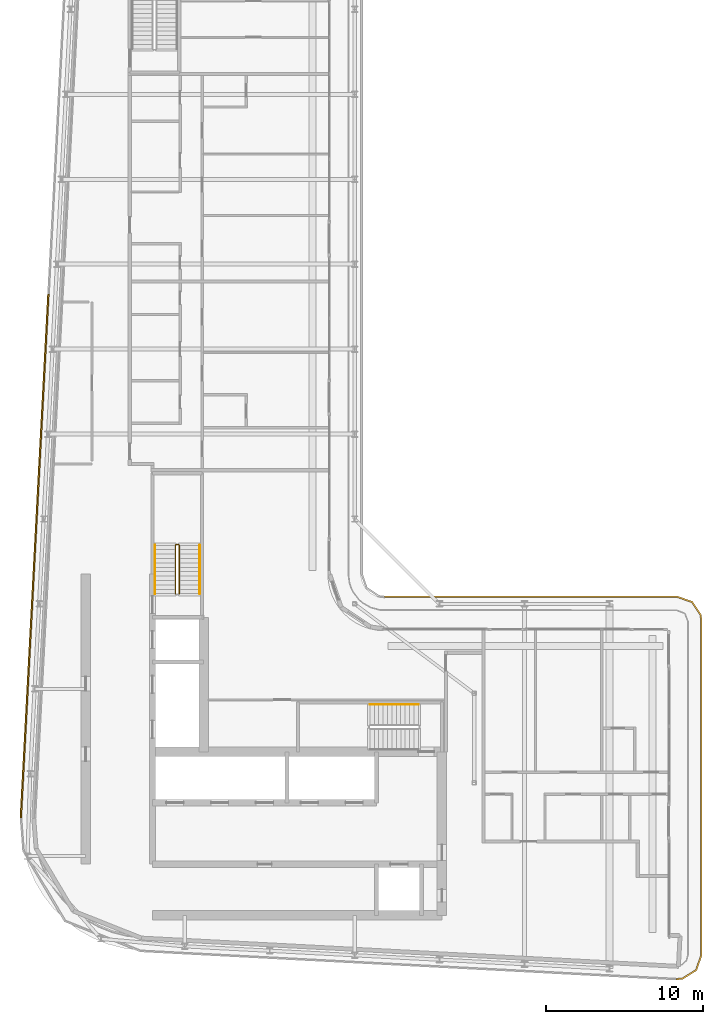
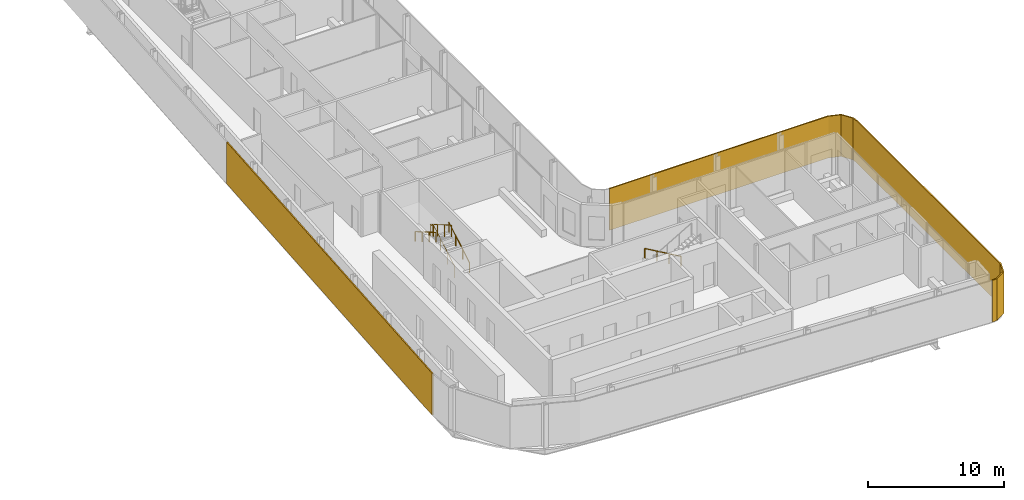
# One storey, part 18 of 21: 4 railings, 2 shading devices.
"""IFC4 building model written with IfcOpenShell, lengths in metres."""

from ifc_helpers import new_model, si_unit, direction, frame, origin, origin_2d, place, context, subcontext, project, spatial, polyline, rectangle, circle, outline, extrude, material, layer, layer_set, type_object, element, save


model = new_model("IFC4")

# Units and contexts
model_context = context("Model", 3, precision=1e-05, world=origin(), true_north=direction((0.0, 1.0)))
body_context = subcontext(model_context, "Body", "Model", "MODEL_VIEW")
ifc_project = project(units=[si_unit("LENGTHUNIT", "METRE"), si_unit("AREAUNIT", "SQUARE_METRE"), si_unit("VOLUMEUNIT", "CUBIC_METRE"), si_unit("PLANEANGLEUNIT", "RADIAN"), si_unit("MASSUNIT", "GRAM", prefix="KILO")], contexts=[model_context])

# Site, building, storey
site_placement = place(None, origin())
site = spatial("IfcSite", under=ifc_project, at=site_placement, CompositionType="ELEMENT")
building_placement = place(site_placement, origin())
building = spatial("IfcBuilding", under=site, at=building_placement, Name="Kheshtan School and Residences Tower", CompositionType="ELEMENT")
storey_placement = place(building_placement, frame((0.0, 0.0, 302.0)))
storey = spatial("IfcBuildingStorey", under=building, at=storey_placement, Name="L71", CompositionType="ELEMENT", Elevation=302.0)

# Shading devices
ifc_material_1 = material(Name="Terracotta baguette, extruded ceramic", Category="masonry")
ifc_layer_1 = layer(ifc_material_1, 0.10009765625)
ifc_layer_set_1 = layer_set([ifc_layer_1], Name="Ledge screen, terracotta baguettes")
shading_device_type_1 = type_object("IfcShadingDeviceType", Name="Ledge screen, terracotta baguettes", PredefinedType="USERDEFINED", material=ifc_layer_set_1)
shading_device_1_placement = place(storey_placement, frame((27.24609375, 48.638916015625, 0.0), z_axis=(0.0, 0.0, 1.0), x_axis=(0.052562536748, 0.998617634398, 0.0)))
element("IfcShadingDevice", 1, at=shading_device_1_placement, inside=storey, type_object=shading_device_type_1, Name="Screen L71 4", ObjectType="BAGUETTE", PredefinedType="USERDEFINED", context=body_context, shape_type="SweptSolid", body=[
    extrude(rectangle(XDim=33.341064453125, YDim=0.10009765625, at=origin_2d()), origin(), (0.0, 0.0, 1.0), 3.75),
])
ifc_material_2 = material(Name="Terracotta lattice, extruded ceramic", Category="masonry")
ifc_layer_2 = layer(ifc_material_2, 0.10009765625)
ifc_layer_set_2 = layer_set([ifc_layer_2], Name="Loggia screen, terracotta lattice")
shading_device_type_2 = type_object("IfcShadingDeviceType", Name="Loggia screen, terracotta lattice", PredefinedType="USERDEFINED", material=ifc_layer_set_2)
shading_device_2_placement = place(storey_placement, origin())
element("IfcShadingDevice", 2, at=shading_device_2_placement, inside=storey, type_object=shading_device_type_2, Name="Screen L71 2", ObjectType="SCREEN", PredefinedType="USERDEFINED", context=body_context, shape_type="SweptSolid", body=[
    extrude(outline(polyline([(49.5, 46.0), (68.10009765625, 46.0), (69.012939453125, 45.68994140625), (69.549072265625, 44.887939453125), (69.60009765625, 44.5), (69.60009765625, 23.285888671875), (69.27001953125, 22.346923828125), (68.424072265625, 21.822021484375), (68.02099609375, 21.7880859375), (68.029052734375, 21.68798828125), (68.4560546875, 21.72412109375), (69.35302734375, 22.281005859375), (69.699951171875, 23.26904296875), (69.699951171875, 44.507080078125), (69.64501953125, 44.924072265625), (69.076904296875, 45.77392578125), (68.116943359375, 46.10009765625), (49.5, 46.10009765625), (49.5, 46.0)])), origin(), (0.0, 0.0, 1.0), 3.75),
])

# Railings
ifc_material_3 = material(Name="Stainless steel balustrade", Category="steel")
railing_type_1 = type_object("IfcRailingType", Name="Stair guard 1100", PredefinedType="GUARDRAIL", material=ifc_material_3)
railing_1_placement = place(storey_placement, frame((36.449951171875, 46.25, 0.16259765625)))
element("IfcRailing", 3, at=railing_1_placement, inside=storey, type_object=railing_type_1, Name="L71 ST2 stair guard 1", PredefinedType="GUARDRAIL", context=body_context, shape_type="SweptSolid", body=[
    extrude(circle(Radius=0.02392578125, at=origin_2d()), frame((0.0, 0.0, 1.076171875), z_axis=(0.0, 0.864920483161, 0.501908913857), x_axis=(-1.0, 0.0, 0.0)), (0.0, 0.0, 1.0), 3.56103515625),
    extrude(circle(Radius=0.02392578125, at=origin_2d()), frame((0.0, 3.080078125, 2.86328125), z_axis=(-0.708833529934, 0.705375805398, 0.0), x_axis=(-0.705375805398, -0.708833529934, 0.0)), (0.0, 0.0, 1.0), 0.070556640625),
    extrude(circle(Radius=0.02392578125, at=origin_2d()), frame((-0.050048828125, 3.1298828125, 2.86328125), z_axis=(-1.0, 0.0, 0.0), x_axis=(0.0, -1.0, 0.0)), (0.0, 0.0, 1.0), 0.14990234375),
    extrude(circle(Radius=0.02392578125, at=origin_2d()), frame((-0.199951171875, 3.1298828125, 2.86328125), z_axis=(-0.282336740067, -0.280959487676, 0.917250092119), x_axis=(0.705375805398, -0.708833529934, 0.0)), (0.0, 0.0, 1.0), 0.17724609375),
    extrude(circle(Radius=0.02392578125, at=origin_2d()), frame((-0.25, 3.080078125, 3.02587890625), z_axis=(0.0, -0.864920483161, 0.501908913857), x_axis=(1.0, 0.0, 0.0)), (0.0, 0.0, 1.0), 3.56103515625),
    extrude(circle(Radius=0.02099609375, at=origin_2d()), origin(), (0.0, 0.0, 1.0), 1.052001953125),
    extrude(circle(Radius=0.02099609375, at=origin_2d()), frame((0.0, 1.026611328125, 0.595703125)), (0.0, 0.0, 1.0), 1.052001953125),
    extrude(circle(Radius=0.02099609375, at=origin_2d()), frame((0.0, 2.053466796875, 1.191650390625)), (0.0, 0.0, 1.0), 1.052001953125),
    extrude(circle(Radius=0.02099609375, at=origin_2d()), frame((0.0, 3.080078125, 1.787353515625)), (0.0, 0.0, 1.0), 1.052001953125),
    extrude(circle(Radius=0.02099609375, at=origin_2d()), frame((-0.050048828125, 3.1298828125, 1.787353515625)), (0.0, 0.0, 1.0), 1.052001953125),
    extrude(circle(Radius=0.02099609375, at=origin_2d()), frame((-0.199951171875, 3.1298828125, 1.787353515625)), (0.0, 0.0, 1.0), 1.052001953125),
    extrude(circle(Radius=0.02099609375, at=origin_2d()), frame((-0.25, 3.080078125, 1.949951171875)), (0.0, 0.0, 1.0), 1.052001953125),
    extrude(circle(Radius=0.02099609375, at=origin_2d()), frame((-0.25, 2.053466796875, 2.545654296875)), (0.0, 0.0, 1.0), 1.052001953125),
    extrude(circle(Radius=0.02099609375, at=origin_2d()), frame((-0.25, 1.026611328125, 3.1416015625)), (0.0, 0.0, 1.0), 1.052001953125),
    extrude(circle(Radius=0.02099609375, at=origin_2d()), frame((-0.25, 0.0, 3.7373046875)), (0.0, 0.0, 1.0), 1.052001953125),
])
ifc_material_4 = material(Name="Stainless steel handrail", Category="steel")
railing_type_2 = type_object("IfcRailingType", Name="Stair handrail 900", PredefinedType="HANDRAIL", material=ifc_material_4)
railing_2_placement = place(storey_placement, frame((51.64990234375, 39.199951171875, 0.16259765625)))
element("IfcRailing", 4, at=railing_2_placement, inside=storey, type_object=railing_type_2, Name="L71 ST1 stair handrail 1", PredefinedType="HANDRAIL", context=body_context, shape_type="SweptSolid", body=[
    extrude(circle(Radius=0.02392578125, at=origin_2d()), frame((0.0, 0.0, 0.8759765625), z_axis=(-0.864903211148, 0.0, 0.501938676878), x_axis=(0.0, -1.0, 0.0)), (0.0, 0.0, 1.0), 3.560791015625),
    extrude(circle(Radius=0.02099609375, at=origin_2d()), origin(), (0.0, 0.0, 1.0), 0.851806640625),
    extrude(circle(Radius=0.02099609375, at=origin_2d()), frame((-1.026611328125, 0.0, 0.595703125)), (0.0, 0.0, 1.0), 0.851806640625),
    extrude(circle(Radius=0.02099609375, at=origin_2d()), frame((-2.05322265625, 0.0, 1.191650390625)), (0.0, 0.0, 1.0), 0.851806640625),
    extrude(circle(Radius=0.02099609375, at=origin_2d()), frame((-3.079833984375, 0.0, 1.787353515625)), (0.0, 0.0, 1.0), 0.851806640625),
])
railing_3_placement = place(storey_placement, frame((37.75, 46.25, 0.16259765625)))
element("IfcRailing", 5, at=railing_3_placement, inside=storey, type_object=railing_type_2, Name="L71 ST2 stair handrail 1", PredefinedType="HANDRAIL", context=body_context, shape_type="SweptSolid", body=[
    extrude(circle(Radius=0.02392578125, at=origin_2d()), frame((0.0, 0.0, 0.8759765625), z_axis=(0.0, 0.864920483161, 0.501908913857), x_axis=(-1.0, 0.0, 0.0)), (0.0, 0.0, 1.0), 3.56103515625),
    extrude(circle(Radius=0.02099609375, at=origin_2d()), origin(), (0.0, 0.0, 1.0), 0.851806640625),
    extrude(circle(Radius=0.02099609375, at=origin_2d()), frame((0.0, 1.026611328125, 0.595703125)), (0.0, 0.0, 1.0), 0.851806640625),
    extrude(circle(Radius=0.02099609375, at=origin_2d()), frame((0.0, 2.053466796875, 1.191650390625)), (0.0, 0.0, 1.0), 0.851806640625),
    extrude(circle(Radius=0.02099609375, at=origin_2d()), frame((0.0, 3.080078125, 1.787353515625)), (0.0, 0.0, 1.0), 0.851806640625),
])
railing_4_placement = place(storey_placement, frame((34.89990234375, 49.330078125, 2.112548828125)))
element("IfcRailing", 6, at=railing_4_placement, inside=storey, type_object=railing_type_2, Name="L71 ST2 stair handrail 2", PredefinedType="HANDRAIL", context=body_context, shape_type="SweptSolid", body=[
    extrude(circle(Radius=0.02392578125, at=origin_2d()), frame((0.0, 0.0, 0.8759765625), z_axis=(0.0, -0.864920483161, 0.501908913857), x_axis=(1.0, 0.0, 0.0)), (0.0, 0.0, 1.0), 3.56103515625),
    extrude(circle(Radius=0.02099609375, at=origin_2d()), origin(), (0.0, 0.0, 1.0), 0.851806640625),
    extrude(circle(Radius=0.02099609375, at=origin_2d()), frame((0.0, -1.026611328125, 0.595703125)), (0.0, 0.0, 1.0), 0.851806640625),
    extrude(circle(Radius=0.02099609375, at=origin_2d()), frame((0.0, -2.053466796875, 1.191650390625)), (0.0, 0.0, 1.0), 0.851806640625),
    extrude(circle(Radius=0.02099609375, at=origin_2d()), frame((0.0, -3.080078125, 1.787353515625)), (0.0, 0.0, 1.0), 0.851806640625),
])

save(model, "model.ifc")
